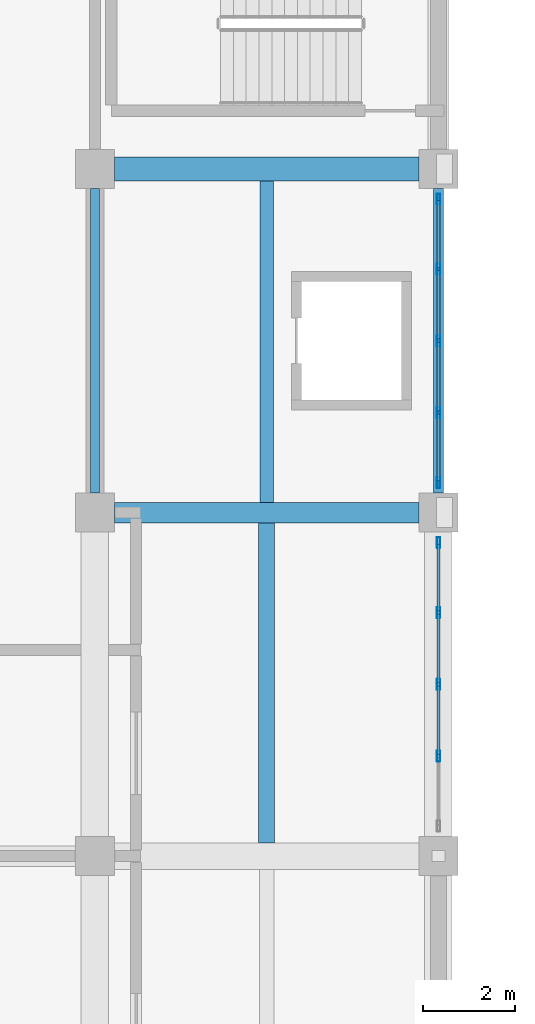
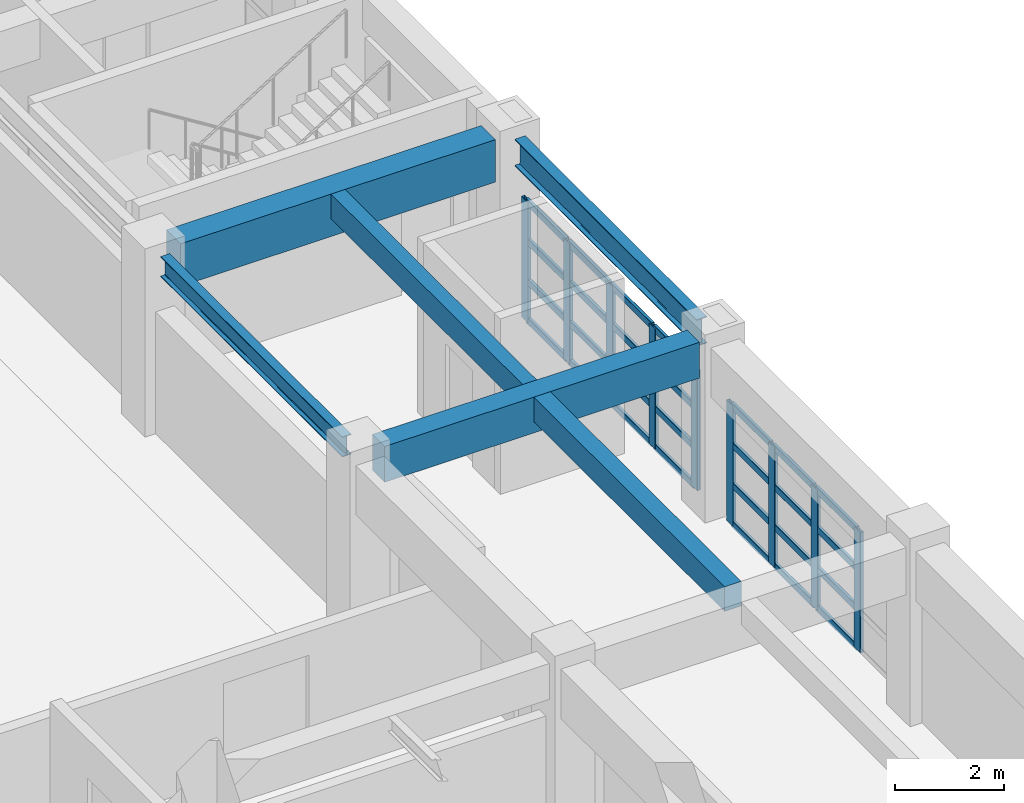
# One storey, part 41 of 132: 37 members, 6 beams, 2 elements without a shape of their own.
"""IFC4 building model written with IfcOpenShell, lengths in metres."""

from ifc_helpers import new_model, si_unit, direction, frame, origin, origin_2d, place, context, subcontext, project, spatial, rectangle, hollow_rectangle, i_section, extrude, material, material_profile, profile_set, type_object, element, aggregate, save


model = new_model("IFC4")

# Units and contexts
model_context = context("Model", 3, precision=1e-05, world=origin(), true_north=direction((0.0, 1.0)))
body_context = subcontext(model_context, "Body", "Model", "MODEL_VIEW")
ifc_project = project(units=[si_unit("LENGTHUNIT", "METRE"), si_unit("AREAUNIT", "SQUARE_METRE"), si_unit("VOLUMEUNIT", "CUBIC_METRE"), si_unit("PLANEANGLEUNIT", "RADIAN"), si_unit("MASSUNIT", "GRAM", prefix="KILO")], contexts=[model_context])

# Site, building, storey
site_placement = place(None, origin())
site = spatial("IfcSite", under=ifc_project, at=site_placement, CompositionType="ELEMENT")
building_placement = place(site_placement, origin())
building = spatial("IfcBuilding", under=site, at=building_placement, Name="Qasida Concert Hall", CompositionType="ELEMENT")
storey_placement = place(building_placement, frame((0.0, 0.0, 4.800048828125)))
storey = spatial("IfcBuildingStorey", under=building, at=storey_placement, Name="L01", CompositionType="ELEMENT", Elevation=4.800048828125)

# Beams
ifc_material_1 = material(Name="Steel S355J2", Category="steel")
ifc_material_profile_1 = material_profile(ifc_material_1, i_section(OverallWidth=0.18994140625, OverallDepth=0.449951171875, WebThickness=0.009521484375, FlangeThickness=0.0146484375, FilletRadius=0.02099609375, at=origin_2d()), Name="IPE 450")
ifc_profile_set_1 = profile_set([ifc_material_profile_1], Name="Steel S355J2")
beam_type_1 = type_object("IfcBeamType", Name="BM-B5", PredefinedType="BEAM", material=ifc_profile_set_1)
beam_1_placement = place(storey_placement, frame((97.5, 37.925048828125, 3.695068359375), z_axis=(0.0, 1.0, 0.0), x_axis=(-1.0, 0.0, 0.0)))
element("IfcBeam", 1, at=beam_1_placement, inside=storey, type_object=beam_type_1, Name="L01 girder 0818", PredefinedType="BEAM", context=body_context, shape_type="SweptSolid", body=[
    extrude(i_section(OverallWidth=0.18994140625, OverallDepth=0.449951171875, WebThickness=0.009521484375, FlangeThickness=0.0146484375, FilletRadius=0.02099609375, at=origin_2d()), origin(), (0.0, 0.0, 1.0), 6.64990234375),
])
ifc_material_2 = material(Name="Concrete C40/50", Category="concrete")
ifc_material_profile_2 = material_profile(ifc_material_2, rectangle(XDim=0.449951171875, YDim=0.800048828125, at=origin_2d()), Name="RC 450x800")
ifc_profile_set_2 = profile_set([ifc_material_profile_2], Name="Concrete C40/50")
beam_type_2 = type_object("IfcBeamType", Name="BM-G2", PredefinedType="USERDEFINED", material=ifc_profile_set_2)
beam_2_placement = place(storey_placement, frame((97.925048828125, 37.5, 3.52001953125), z_axis=(1.0, 0.0, 0.0), x_axis=(0.0, 1.0, 0.0)))
element("IfcBeam", 2, at=beam_2_placement, inside=storey, type_object=beam_type_2, Name="Primary girder 0775", ObjectType="GIRDER", PredefinedType="USERDEFINED", context=body_context, shape_type="SweptSolid", body=[
    extrude(rectangle(XDim=0.449951171875, YDim=0.800048828125, at=origin_2d()), origin(), (0.0, 0.0, 1.0), 6.64990234375),
])
ifc_material_profile_3 = material_profile(ifc_material_2, rectangle(XDim=0.52001953125, YDim=0.949951171875, at=origin_2d()), Name="RC 520x950")
ifc_profile_set_3 = profile_set([ifc_material_profile_3], Name="Concrete C40/50")
beam_type_3 = type_object("IfcBeamType", Name="BM-G7", PredefinedType="USERDEFINED", material=ifc_profile_set_3)
beam_3_placement = place(storey_placement, frame((97.925048828125, 45.0, 3.445068359375), z_axis=(1.0, 0.0, 0.0), x_axis=(0.0, 1.0, 0.0)))
element("IfcBeam", 3, at=beam_3_placement, inside=storey, type_object=beam_type_3, Name="Primary girder 0777", ObjectType="GIRDER", PredefinedType="USERDEFINED", context=body_context, shape_type="SweptSolid", body=[
    extrude(rectangle(XDim=0.52001953125, YDim=0.949951171875, at=origin_2d()), origin(), (0.0, 0.0, 1.0), 6.64990234375),
])
ifc_material_profile_4 = material_profile(ifc_material_2, rectangle(XDim=0.300048828125, YDim=0.550048828125, at=origin_2d()), Name="RC 300x550")
ifc_profile_set_4 = profile_set([ifc_material_profile_4], Name="Concrete C40/50")
beam_type_4 = type_object("IfcBeamType", Name="BM-J1", PredefinedType="JOIST", material=ifc_profile_set_4)
beam_4_placement = place(storey_placement, frame((101.25, 37.72509765625, 3.64501953125), z_axis=(0.0, 1.0, 0.0), x_axis=(-1.0, 0.0, 0.0)))
element("IfcBeam", 4, at=beam_4_placement, inside=storey, type_object=beam_type_4, Name="L01 secondary joist 0848", PredefinedType="JOIST", context=body_context, shape_type="SweptSolid", body=[
    extrude(rectangle(XDim=0.300048828125, YDim=0.550048828125, at=origin_2d()), origin(), (0.0, 0.0, 1.0), 7.014892578125),
])
ifc_material_profile_5 = material_profile(ifc_material_2, rectangle(XDim=0.35009765625, YDim=0.550048828125, at=origin_2d()), Name="RC 350x550")
ifc_profile_set_5 = profile_set([ifc_material_profile_5], Name="Concrete C40/50")
beam_type_5 = type_object("IfcBeamType", Name="BM-J8", PredefinedType="JOIST", material=ifc_profile_set_5)
beam_5_placement = place(storey_placement, frame((101.25, 30.2900390625, 3.64501953125), z_axis=(0.0, 1.0, 0.0), x_axis=(-1.0, 0.0, 0.0)))
element("IfcBeam", 5, at=beam_5_placement, inside=storey, type_object=beam_type_5, Name="L01 secondary joist 0847", PredefinedType="JOIST", context=body_context, shape_type="SweptSolid", body=[
    extrude(rectangle(XDim=0.35009765625, YDim=0.550048828125, at=origin_2d()), origin(), (0.0, 0.0, 1.0), 6.98486328125),
])
ifc_material_profile_6 = material_profile(ifc_material_1, i_section(OverallWidth=0.219970703125, OverallDepth=0.60009765625, WebThickness=0.011962890625, FlangeThickness=0.01904296875, FilletRadius=0.02392578125, at=origin_2d()), Name="IPE 600")
ifc_profile_set_6 = profile_set([ifc_material_profile_6], Name="Steel S355J2")
beam_type_6 = type_object("IfcBeamType", Name="BM-SP3", PredefinedType="SPANDREL", material=ifc_profile_set_6)
beam_6_placement = place(storey_placement, frame((105.0, 37.925048828125, 3.619873046875), z_axis=(0.0, 1.0, 0.0), x_axis=(-1.0, 0.0, 0.0)))
element("IfcBeam", 6, at=beam_6_placement, inside=storey, type_object=beam_type_6, Name="L01 girder 0824", PredefinedType="SPANDREL", context=body_context, shape_type="SweptSolid", body=[
    extrude(i_section(OverallWidth=0.219970703125, OverallDepth=0.60009765625, WebThickness=0.011962890625, FlangeThickness=0.01904296875, FilletRadius=0.02392578125, at=origin_2d()), origin(), (0.0, 0.0, 1.0), 6.64990234375),
])

# Curtain wall, members
ifc_material_3 = material(Name="Architectural bronze-anodized aluminium and low-E glass", Category="aluminium")
curtain_wall_type = type_object("IfcCurtainWallType", Name="CW-02", PredefinedType="NOTDEFINED", material=ifc_material_3)
curtain_wall_1_placement = place(storey_placement, origin())
curtain_wall_1 = element("IfcCurtainWall", 7, at=curtain_wall_1_placement, inside=storey, type_object=curtain_wall_type, Name="L01 curtain wall CW-02 0041", PredefinedType="NOTDEFINED")
ifc_material_4 = material(Name="Architectural bronze-anodized aluminium EN AW-6063", Category="aluminium")
ifc_material_profile_7 = material_profile(ifc_material_4, hollow_rectangle(XDim=0.070068359375, YDim=0.239990234375, WallThickness=0.0048828125, InnerFilletRadius=0.0048828125, OuterFilletRadius=0.010009765625, at=origin_2d()), Name="CWM 240x70x5")
ifc_profile_set_7 = profile_set([ifc_material_profile_7], Name="Architectural bronze-anodized aluminium EN AW-6063")
member_type_1 = type_object("IfcMemberType", Name="MB-CWM-1", PredefinedType="MULLION", material=ifc_profile_set_7)
member_1_placement = place(storey_placement, frame((105.0, 32.18505859375, 0.0), z_axis=(0.0, 0.0, 1.0), x_axis=(-1.0, 0.0, 0.0)))
member_1 = element("IfcMember", 8, at=member_1_placement, type_object=member_type_1, Name="CW-02 mullion 2", PredefinedType="MULLION", context=body_context, shape_type="SweptSolid", body=[
    extrude(hollow_rectangle(XDim=0.070068359375, YDim=0.239990234375, WallThickness=0.0048828125, InnerFilletRadius=0.0048828125, OuterFilletRadius=0.010009765625, at=origin_2d()), origin(), (0.0, 0.0, 1.0), 2.68994140625),
])
member_2_placement = place(storey_placement, frame((105.0, 33.75, 0.0), z_axis=(0.0, 0.0, 1.0), x_axis=(-1.0, 0.0, 0.0)))
member_2 = element("IfcMember", 9, at=member_2_placement, type_object=member_type_1, Name="CW-02 mullion 3", PredefinedType="MULLION", context=body_context, shape_type="SweptSolid", body=[
    extrude(hollow_rectangle(XDim=0.070068359375, YDim=0.239990234375, WallThickness=0.0048828125, InnerFilletRadius=0.0048828125, OuterFilletRadius=0.010009765625, at=origin_2d()), origin(), (0.0, 0.0, 1.0), 2.68994140625),
])
member_3_placement = place(storey_placement, frame((105.0, 35.31494140625, 0.0), z_axis=(0.0, 0.0, 1.0), x_axis=(-1.0, 0.0, 0.0)))
member_3 = element("IfcMember", 10, at=member_3_placement, type_object=member_type_1, Name="CW-02 mullion 4", PredefinedType="MULLION", context=body_context, shape_type="SweptSolid", body=[
    extrude(hollow_rectangle(XDim=0.070068359375, YDim=0.239990234375, WallThickness=0.0048828125, InnerFilletRadius=0.0048828125, OuterFilletRadius=0.010009765625, at=origin_2d()), origin(), (0.0, 0.0, 1.0), 2.68994140625),
])
member_4_placement = place(storey_placement, frame((105.0, 36.844970703125, 0.0), z_axis=(0.0, 0.0, 1.0), x_axis=(-1.0, 0.0, 0.0)))
member_4 = element("IfcMember", 11, at=member_4_placement, type_object=member_type_1, Name="CW-02 mullion 5", PredefinedType="MULLION", context=body_context, shape_type="SweptSolid", body=[
    extrude(hollow_rectangle(XDim=0.070068359375, YDim=0.239990234375, WallThickness=0.0048828125, InnerFilletRadius=0.0048828125, OuterFilletRadius=0.010009765625, at=origin_2d()), origin(), (0.0, 0.0, 1.0), 2.68994140625),
])

curtain_wall_2_placement = place(storey_placement, origin())
curtain_wall_2 = element("IfcCurtainWall", 12, at=curtain_wall_2_placement, inside=storey, type_object=curtain_wall_type, Name="L01 curtain wall CW-02 0043", PredefinedType="NOTDEFINED")
member_5_placement = place(storey_placement, frame((105.0, 38.155029296875, 0.0), z_axis=(0.0, 0.0, 1.0), x_axis=(-1.0, 0.0, 0.0)))
member_5 = element("IfcMember", 13, at=member_5_placement, type_object=member_type_1, Name="CW-02 mullion 1", PredefinedType="MULLION", context=body_context, shape_type="SweptSolid", body=[
    extrude(hollow_rectangle(XDim=0.070068359375, YDim=0.239990234375, WallThickness=0.0048828125, InnerFilletRadius=0.0048828125, OuterFilletRadius=0.010009765625, at=origin_2d()), origin(), (0.0, 0.0, 1.0), 2.68994140625),
])
member_6_placement = place(storey_placement, frame((105.0, 39.68505859375, 0.0), z_axis=(0.0, 0.0, 1.0), x_axis=(-1.0, 0.0, 0.0)))
member_6 = element("IfcMember", 14, at=member_6_placement, type_object=member_type_1, Name="CW-02 mullion 2", PredefinedType="MULLION", context=body_context, shape_type="SweptSolid", body=[
    extrude(hollow_rectangle(XDim=0.070068359375, YDim=0.239990234375, WallThickness=0.0048828125, InnerFilletRadius=0.0048828125, OuterFilletRadius=0.010009765625, at=origin_2d()), origin(), (0.0, 0.0, 1.0), 2.68994140625),
])
member_7_placement = place(storey_placement, frame((105.0, 41.25, 0.0), z_axis=(0.0, 0.0, 1.0), x_axis=(-1.0, 0.0, 0.0)))
member_7 = element("IfcMember", 15, at=member_7_placement, type_object=member_type_1, Name="CW-02 mullion 3", PredefinedType="MULLION", context=body_context, shape_type="SweptSolid", body=[
    extrude(hollow_rectangle(XDim=0.070068359375, YDim=0.239990234375, WallThickness=0.0048828125, InnerFilletRadius=0.0048828125, OuterFilletRadius=0.010009765625, at=origin_2d()), origin(), (0.0, 0.0, 1.0), 2.68994140625),
])
member_8_placement = place(storey_placement, frame((105.0, 42.81494140625, 0.0), z_axis=(0.0, 0.0, 1.0), x_axis=(-1.0, 0.0, 0.0)))
member_8 = element("IfcMember", 16, at=member_8_placement, type_object=member_type_1, Name="CW-02 mullion 4", PredefinedType="MULLION", context=body_context, shape_type="SweptSolid", body=[
    extrude(hollow_rectangle(XDim=0.070068359375, YDim=0.239990234375, WallThickness=0.0048828125, InnerFilletRadius=0.0048828125, OuterFilletRadius=0.010009765625, at=origin_2d()), origin(), (0.0, 0.0, 1.0), 2.68994140625),
])
member_9_placement = place(storey_placement, frame((105.0, 44.344970703125, 0.0), z_axis=(0.0, 0.0, 1.0), x_axis=(-1.0, 0.0, 0.0)))
member_9 = element("IfcMember", 17, at=member_9_placement, type_object=member_type_1, Name="CW-02 mullion 5", PredefinedType="MULLION", context=body_context, shape_type="SweptSolid", body=[
    extrude(hollow_rectangle(XDim=0.070068359375, YDim=0.239990234375, WallThickness=0.0048828125, InnerFilletRadius=0.0048828125, OuterFilletRadius=0.010009765625, at=origin_2d()), origin(), (0.0, 0.0, 1.0), 2.68994140625),
])

# Member
ifc_material_profile_8 = material_profile(ifc_material_4, hollow_rectangle(XDim=0.06494140625, YDim=0.14990234375, WallThickness=0.00390625, InnerFilletRadius=0.00390625, OuterFilletRadius=0.008056640625, at=origin_2d()), Name="CWT 150x65x4")
ifc_profile_set_8 = profile_set([ifc_material_profile_8], Name="Architectural bronze-anodized aluminium EN AW-6063")
member_type_2 = type_object("IfcMemberType", Name="MB-CWT-1", PredefinedType="USERDEFINED", material=ifc_profile_set_8)
member_10_placement = place(storey_placement, frame((105.0, 32.219970703125, 0.032470703125), z_axis=(0.0, 1.0, 0.0), x_axis=(-1.0, 0.0, 0.0)))
member_10 = element("IfcMember", 18, at=member_10_placement, type_object=member_type_2, Name="CW-02 transom 2.1", ObjectType="TRANSOM", PredefinedType="USERDEFINED", context=body_context, shape_type="SweptSolid", body=[
    extrude(hollow_rectangle(XDim=0.06494140625, YDim=0.14990234375, WallThickness=0.00390625, InnerFilletRadius=0.00390625, OuterFilletRadius=0.008056640625, at=origin_2d()), origin(), (0.0, 0.0, 1.0), 1.4951171875),
])

member_11_placement = place(storey_placement, frame((105.0, 32.219970703125, 0.896728515625), z_axis=(0.0, 1.0, 0.0), x_axis=(-1.0, 0.0, 0.0)))
member_11 = element("IfcMember", 19, at=member_11_placement, type_object=member_type_2, Name="CW-02 transom 2.2", ObjectType="TRANSOM", PredefinedType="USERDEFINED", context=body_context, shape_type="SweptSolid", body=[
    extrude(hollow_rectangle(XDim=0.06494140625, YDim=0.14990234375, WallThickness=0.00390625, InnerFilletRadius=0.00390625, OuterFilletRadius=0.008056640625, at=origin_2d()), origin(), (0.0, 0.0, 1.0), 1.4951171875),
])

member_12_placement = place(storey_placement, frame((105.0, 32.219970703125, 1.793212890625), z_axis=(0.0, 1.0, 0.0), x_axis=(-1.0, 0.0, 0.0)))
member_12 = element("IfcMember", 20, at=member_12_placement, type_object=member_type_2, Name="CW-02 transom 2.3", ObjectType="TRANSOM", PredefinedType="USERDEFINED", context=body_context, shape_type="SweptSolid", body=[
    extrude(hollow_rectangle(XDim=0.06494140625, YDim=0.14990234375, WallThickness=0.00390625, InnerFilletRadius=0.00390625, OuterFilletRadius=0.008056640625, at=origin_2d()), origin(), (0.0, 0.0, 1.0), 1.4951171875),
])

member_13_placement = place(storey_placement, frame((105.0, 32.219970703125, 2.657470703125), z_axis=(0.0, 1.0, 0.0), x_axis=(-1.0, 0.0, 0.0)))
member_13 = element("IfcMember", 21, at=member_13_placement, type_object=member_type_2, Name="CW-02 transom 2.4", ObjectType="TRANSOM", PredefinedType="USERDEFINED", context=body_context, shape_type="SweptSolid", body=[
    extrude(hollow_rectangle(XDim=0.06494140625, YDim=0.14990234375, WallThickness=0.00390625, InnerFilletRadius=0.00390625, OuterFilletRadius=0.008056640625, at=origin_2d()), origin(), (0.0, 0.0, 1.0), 1.4951171875),
])

member_14_placement = place(storey_placement, frame((105.0, 33.784912109375, 0.032470703125), z_axis=(0.0, 1.0, 0.0), x_axis=(-1.0, 0.0, 0.0)))
member_14 = element("IfcMember", 22, at=member_14_placement, type_object=member_type_2, Name="CW-02 transom 3.1", ObjectType="TRANSOM", PredefinedType="USERDEFINED", context=body_context, shape_type="SweptSolid", body=[
    extrude(hollow_rectangle(XDim=0.06494140625, YDim=0.14990234375, WallThickness=0.00390625, InnerFilletRadius=0.00390625, OuterFilletRadius=0.008056640625, at=origin_2d()), origin(), (0.0, 0.0, 1.0), 1.4951171875),
])

member_15_placement = place(storey_placement, frame((105.0, 33.784912109375, 0.896728515625), z_axis=(0.0, 1.0, 0.0), x_axis=(-1.0, 0.0, 0.0)))
member_15 = element("IfcMember", 23, at=member_15_placement, type_object=member_type_2, Name="CW-02 transom 3.2", ObjectType="TRANSOM", PredefinedType="USERDEFINED", context=body_context, shape_type="SweptSolid", body=[
    extrude(hollow_rectangle(XDim=0.06494140625, YDim=0.14990234375, WallThickness=0.00390625, InnerFilletRadius=0.00390625, OuterFilletRadius=0.008056640625, at=origin_2d()), origin(), (0.0, 0.0, 1.0), 1.4951171875),
])

member_16_placement = place(storey_placement, frame((105.0, 33.784912109375, 1.793212890625), z_axis=(0.0, 1.0, 0.0), x_axis=(-1.0, 0.0, 0.0)))
member_16 = element("IfcMember", 24, at=member_16_placement, type_object=member_type_2, Name="CW-02 transom 3.3", ObjectType="TRANSOM", PredefinedType="USERDEFINED", context=body_context, shape_type="SweptSolid", body=[
    extrude(hollow_rectangle(XDim=0.06494140625, YDim=0.14990234375, WallThickness=0.00390625, InnerFilletRadius=0.00390625, OuterFilletRadius=0.008056640625, at=origin_2d()), origin(), (0.0, 0.0, 1.0), 1.4951171875),
])

member_17_placement = place(storey_placement, frame((105.0, 33.784912109375, 2.657470703125), z_axis=(0.0, 1.0, 0.0), x_axis=(-1.0, 0.0, 0.0)))
member_17 = element("IfcMember", 25, at=member_17_placement, type_object=member_type_2, Name="CW-02 transom 3.4", ObjectType="TRANSOM", PredefinedType="USERDEFINED", context=body_context, shape_type="SweptSolid", body=[
    extrude(hollow_rectangle(XDim=0.06494140625, YDim=0.14990234375, WallThickness=0.00390625, InnerFilletRadius=0.00390625, OuterFilletRadius=0.008056640625, at=origin_2d()), origin(), (0.0, 0.0, 1.0), 1.4951171875),
])

member_18_placement = place(storey_placement, frame((105.0, 35.35009765625, 0.032470703125), z_axis=(0.0, 1.0, 0.0), x_axis=(-1.0, 0.0, 0.0)))
member_18 = element("IfcMember", 26, at=member_18_placement, type_object=member_type_2, Name="CW-02 transom 4.1", ObjectType="TRANSOM", PredefinedType="USERDEFINED", context=body_context, shape_type="SweptSolid", body=[
    extrude(hollow_rectangle(XDim=0.06494140625, YDim=0.14990234375, WallThickness=0.00390625, InnerFilletRadius=0.00390625, OuterFilletRadius=0.008056640625, at=origin_2d()), origin(), (0.0, 0.0, 1.0), 1.4599609375),
])

member_19_placement = place(storey_placement, frame((105.0, 35.35009765625, 0.896728515625), z_axis=(0.0, 1.0, 0.0), x_axis=(-1.0, 0.0, 0.0)))
member_19 = element("IfcMember", 27, at=member_19_placement, type_object=member_type_2, Name="CW-02 transom 4.2", ObjectType="TRANSOM", PredefinedType="USERDEFINED", context=body_context, shape_type="SweptSolid", body=[
    extrude(hollow_rectangle(XDim=0.06494140625, YDim=0.14990234375, WallThickness=0.00390625, InnerFilletRadius=0.00390625, OuterFilletRadius=0.008056640625, at=origin_2d()), origin(), (0.0, 0.0, 1.0), 1.4599609375),
])

member_20_placement = place(storey_placement, frame((105.0, 35.35009765625, 1.793212890625), z_axis=(0.0, 1.0, 0.0), x_axis=(-1.0, 0.0, 0.0)))
member_20 = element("IfcMember", 28, at=member_20_placement, type_object=member_type_2, Name="CW-02 transom 4.3", ObjectType="TRANSOM", PredefinedType="USERDEFINED", context=body_context, shape_type="SweptSolid", body=[
    extrude(hollow_rectangle(XDim=0.06494140625, YDim=0.14990234375, WallThickness=0.00390625, InnerFilletRadius=0.00390625, OuterFilletRadius=0.008056640625, at=origin_2d()), origin(), (0.0, 0.0, 1.0), 1.4599609375),
])

member_21_placement = place(storey_placement, frame((105.0, 35.35009765625, 2.657470703125), z_axis=(0.0, 1.0, 0.0), x_axis=(-1.0, 0.0, 0.0)))
member_21 = element("IfcMember", 29, at=member_21_placement, type_object=member_type_2, Name="CW-02 transom 4.4", ObjectType="TRANSOM", PredefinedType="USERDEFINED", context=body_context, shape_type="SweptSolid", body=[
    extrude(hollow_rectangle(XDim=0.06494140625, YDim=0.14990234375, WallThickness=0.00390625, InnerFilletRadius=0.00390625, OuterFilletRadius=0.008056640625, at=origin_2d()), origin(), (0.0, 0.0, 1.0), 1.4599609375),
])

aggregate(curtain_wall_1, [member_1, member_2, member_3, member_4, member_10, member_11, member_12, member_13, member_14, member_15, member_16, member_17, member_18, member_19, member_20, member_21])

member_22_placement = place(storey_placement, frame((105.0, 38.18994140625, 0.032470703125), z_axis=(0.0, 1.0, 0.0), x_axis=(-1.0, 0.0, 0.0)))
member_22 = element("IfcMember", 30, at=member_22_placement, type_object=member_type_2, Name="CW-02 transom 1.1", ObjectType="TRANSOM", PredefinedType="USERDEFINED", context=body_context, shape_type="SweptSolid", body=[
    extrude(hollow_rectangle(XDim=0.06494140625, YDim=0.14990234375, WallThickness=0.00390625, InnerFilletRadius=0.00390625, OuterFilletRadius=0.008056640625, at=origin_2d()), origin(), (0.0, 0.0, 1.0), 1.4599609375),
])

member_23_placement = place(storey_placement, frame((105.0, 38.18994140625, 0.896728515625), z_axis=(0.0, 1.0, 0.0), x_axis=(-1.0, 0.0, 0.0)))
member_23 = element("IfcMember", 31, at=member_23_placement, type_object=member_type_2, Name="CW-02 transom 1.2", ObjectType="TRANSOM", PredefinedType="USERDEFINED", context=body_context, shape_type="SweptSolid", body=[
    extrude(hollow_rectangle(XDim=0.06494140625, YDim=0.14990234375, WallThickness=0.00390625, InnerFilletRadius=0.00390625, OuterFilletRadius=0.008056640625, at=origin_2d()), origin(), (0.0, 0.0, 1.0), 1.4599609375),
])

member_24_placement = place(storey_placement, frame((105.0, 38.18994140625, 1.793212890625), z_axis=(0.0, 1.0, 0.0), x_axis=(-1.0, 0.0, 0.0)))
member_24 = element("IfcMember", 32, at=member_24_placement, type_object=member_type_2, Name="CW-02 transom 1.3", ObjectType="TRANSOM", PredefinedType="USERDEFINED", context=body_context, shape_type="SweptSolid", body=[
    extrude(hollow_rectangle(XDim=0.06494140625, YDim=0.14990234375, WallThickness=0.00390625, InnerFilletRadius=0.00390625, OuterFilletRadius=0.008056640625, at=origin_2d()), origin(), (0.0, 0.0, 1.0), 1.4599609375),
])

member_25_placement = place(storey_placement, frame((105.0, 38.18994140625, 2.657470703125), z_axis=(0.0, 1.0, 0.0), x_axis=(-1.0, 0.0, 0.0)))
member_25 = element("IfcMember", 33, at=member_25_placement, type_object=member_type_2, Name="CW-02 transom 1.4", ObjectType="TRANSOM", PredefinedType="USERDEFINED", context=body_context, shape_type="SweptSolid", body=[
    extrude(hollow_rectangle(XDim=0.06494140625, YDim=0.14990234375, WallThickness=0.00390625, InnerFilletRadius=0.00390625, OuterFilletRadius=0.008056640625, at=origin_2d()), origin(), (0.0, 0.0, 1.0), 1.4599609375),
])

member_26_placement = place(storey_placement, frame((105.0, 39.719970703125, 0.032470703125), z_axis=(0.0, 1.0, 0.0), x_axis=(-1.0, 0.0, 0.0)))
member_26 = element("IfcMember", 34, at=member_26_placement, type_object=member_type_2, Name="CW-02 transom 2.1", ObjectType="TRANSOM", PredefinedType="USERDEFINED", context=body_context, shape_type="SweptSolid", body=[
    extrude(hollow_rectangle(XDim=0.06494140625, YDim=0.14990234375, WallThickness=0.00390625, InnerFilletRadius=0.00390625, OuterFilletRadius=0.008056640625, at=origin_2d()), origin(), (0.0, 0.0, 1.0), 1.4951171875),
])

member_27_placement = place(storey_placement, frame((105.0, 39.719970703125, 0.896728515625), z_axis=(0.0, 1.0, 0.0), x_axis=(-1.0, 0.0, 0.0)))
member_27 = element("IfcMember", 35, at=member_27_placement, type_object=member_type_2, Name="CW-02 transom 2.2", ObjectType="TRANSOM", PredefinedType="USERDEFINED", context=body_context, shape_type="SweptSolid", body=[
    extrude(hollow_rectangle(XDim=0.06494140625, YDim=0.14990234375, WallThickness=0.00390625, InnerFilletRadius=0.00390625, OuterFilletRadius=0.008056640625, at=origin_2d()), origin(), (0.0, 0.0, 1.0), 1.4951171875),
])

member_28_placement = place(storey_placement, frame((105.0, 39.719970703125, 1.793212890625), z_axis=(0.0, 1.0, 0.0), x_axis=(-1.0, 0.0, 0.0)))
member_28 = element("IfcMember", 36, at=member_28_placement, type_object=member_type_2, Name="CW-02 transom 2.3", ObjectType="TRANSOM", PredefinedType="USERDEFINED", context=body_context, shape_type="SweptSolid", body=[
    extrude(hollow_rectangle(XDim=0.06494140625, YDim=0.14990234375, WallThickness=0.00390625, InnerFilletRadius=0.00390625, OuterFilletRadius=0.008056640625, at=origin_2d()), origin(), (0.0, 0.0, 1.0), 1.4951171875),
])

member_29_placement = place(storey_placement, frame((105.0, 39.719970703125, 2.657470703125), z_axis=(0.0, 1.0, 0.0), x_axis=(-1.0, 0.0, 0.0)))
member_29 = element("IfcMember", 37, at=member_29_placement, type_object=member_type_2, Name="CW-02 transom 2.4", ObjectType="TRANSOM", PredefinedType="USERDEFINED", context=body_context, shape_type="SweptSolid", body=[
    extrude(hollow_rectangle(XDim=0.06494140625, YDim=0.14990234375, WallThickness=0.00390625, InnerFilletRadius=0.00390625, OuterFilletRadius=0.008056640625, at=origin_2d()), origin(), (0.0, 0.0, 1.0), 1.4951171875),
])

member_30_placement = place(storey_placement, frame((105.0, 41.284912109375, 0.032470703125), z_axis=(0.0, 1.0, 0.0), x_axis=(-1.0, 0.0, 0.0)))
member_30 = element("IfcMember", 38, at=member_30_placement, type_object=member_type_2, Name="CW-02 transom 3.1", ObjectType="TRANSOM", PredefinedType="USERDEFINED", context=body_context, shape_type="SweptSolid", body=[
    extrude(hollow_rectangle(XDim=0.06494140625, YDim=0.14990234375, WallThickness=0.00390625, InnerFilletRadius=0.00390625, OuterFilletRadius=0.008056640625, at=origin_2d()), origin(), (0.0, 0.0, 1.0), 1.4951171875),
])

member_31_placement = place(storey_placement, frame((105.0, 41.284912109375, 0.896728515625), z_axis=(0.0, 1.0, 0.0), x_axis=(-1.0, 0.0, 0.0)))
member_31 = element("IfcMember", 39, at=member_31_placement, type_object=member_type_2, Name="CW-02 transom 3.2", ObjectType="TRANSOM", PredefinedType="USERDEFINED", context=body_context, shape_type="SweptSolid", body=[
    extrude(hollow_rectangle(XDim=0.06494140625, YDim=0.14990234375, WallThickness=0.00390625, InnerFilletRadius=0.00390625, OuterFilletRadius=0.008056640625, at=origin_2d()), origin(), (0.0, 0.0, 1.0), 1.4951171875),
])

member_32_placement = place(storey_placement, frame((105.0, 41.284912109375, 1.793212890625), z_axis=(0.0, 1.0, 0.0), x_axis=(-1.0, 0.0, 0.0)))
member_32 = element("IfcMember", 40, at=member_32_placement, type_object=member_type_2, Name="CW-02 transom 3.3", ObjectType="TRANSOM", PredefinedType="USERDEFINED", context=body_context, shape_type="SweptSolid", body=[
    extrude(hollow_rectangle(XDim=0.06494140625, YDim=0.14990234375, WallThickness=0.00390625, InnerFilletRadius=0.00390625, OuterFilletRadius=0.008056640625, at=origin_2d()), origin(), (0.0, 0.0, 1.0), 1.4951171875),
])

member_33_placement = place(storey_placement, frame((105.0, 41.284912109375, 2.657470703125), z_axis=(0.0, 1.0, 0.0), x_axis=(-1.0, 0.0, 0.0)))
member_33 = element("IfcMember", 41, at=member_33_placement, type_object=member_type_2, Name="CW-02 transom 3.4", ObjectType="TRANSOM", PredefinedType="USERDEFINED", context=body_context, shape_type="SweptSolid", body=[
    extrude(hollow_rectangle(XDim=0.06494140625, YDim=0.14990234375, WallThickness=0.00390625, InnerFilletRadius=0.00390625, OuterFilletRadius=0.008056640625, at=origin_2d()), origin(), (0.0, 0.0, 1.0), 1.4951171875),
])

member_34_placement = place(storey_placement, frame((105.0, 42.85009765625, 0.032470703125), z_axis=(0.0, 1.0, 0.0), x_axis=(-1.0, 0.0, 0.0)))
member_34 = element("IfcMember", 42, at=member_34_placement, type_object=member_type_2, Name="CW-02 transom 4.1", ObjectType="TRANSOM", PredefinedType="USERDEFINED", context=body_context, shape_type="SweptSolid", body=[
    extrude(hollow_rectangle(XDim=0.06494140625, YDim=0.14990234375, WallThickness=0.00390625, InnerFilletRadius=0.00390625, OuterFilletRadius=0.008056640625, at=origin_2d()), origin(), (0.0, 0.0, 1.0), 1.4599609375),
])

member_35_placement = place(storey_placement, frame((105.0, 42.85009765625, 0.896728515625), z_axis=(0.0, 1.0, 0.0), x_axis=(-1.0, 0.0, 0.0)))
member_35 = element("IfcMember", 43, at=member_35_placement, type_object=member_type_2, Name="CW-02 transom 4.2", ObjectType="TRANSOM", PredefinedType="USERDEFINED", context=body_context, shape_type="SweptSolid", body=[
    extrude(hollow_rectangle(XDim=0.06494140625, YDim=0.14990234375, WallThickness=0.00390625, InnerFilletRadius=0.00390625, OuterFilletRadius=0.008056640625, at=origin_2d()), origin(), (0.0, 0.0, 1.0), 1.4599609375),
])

member_36_placement = place(storey_placement, frame((105.0, 42.85009765625, 1.793212890625), z_axis=(0.0, 1.0, 0.0), x_axis=(-1.0, 0.0, 0.0)))
member_36 = element("IfcMember", 44, at=member_36_placement, type_object=member_type_2, Name="CW-02 transom 4.3", ObjectType="TRANSOM", PredefinedType="USERDEFINED", context=body_context, shape_type="SweptSolid", body=[
    extrude(hollow_rectangle(XDim=0.06494140625, YDim=0.14990234375, WallThickness=0.00390625, InnerFilletRadius=0.00390625, OuterFilletRadius=0.008056640625, at=origin_2d()), origin(), (0.0, 0.0, 1.0), 1.4599609375),
])

member_37_placement = place(storey_placement, frame((105.0, 42.85009765625, 2.657470703125), z_axis=(0.0, 1.0, 0.0), x_axis=(-1.0, 0.0, 0.0)))
member_37 = element("IfcMember", 45, at=member_37_placement, type_object=member_type_2, Name="CW-02 transom 4.4", ObjectType="TRANSOM", PredefinedType="USERDEFINED", context=body_context, shape_type="SweptSolid", body=[
    extrude(hollow_rectangle(XDim=0.06494140625, YDim=0.14990234375, WallThickness=0.00390625, InnerFilletRadius=0.00390625, OuterFilletRadius=0.008056640625, at=origin_2d()), origin(), (0.0, 0.0, 1.0), 1.4599609375),
])

aggregate(curtain_wall_2, [member_5, member_6, member_7, member_8, member_9, member_22, member_23, member_24, member_25, member_26, member_27, member_28, member_29, member_30, member_31, member_32, member_33, member_34, member_35, member_36, member_37])

save(model, "model.ifc")
